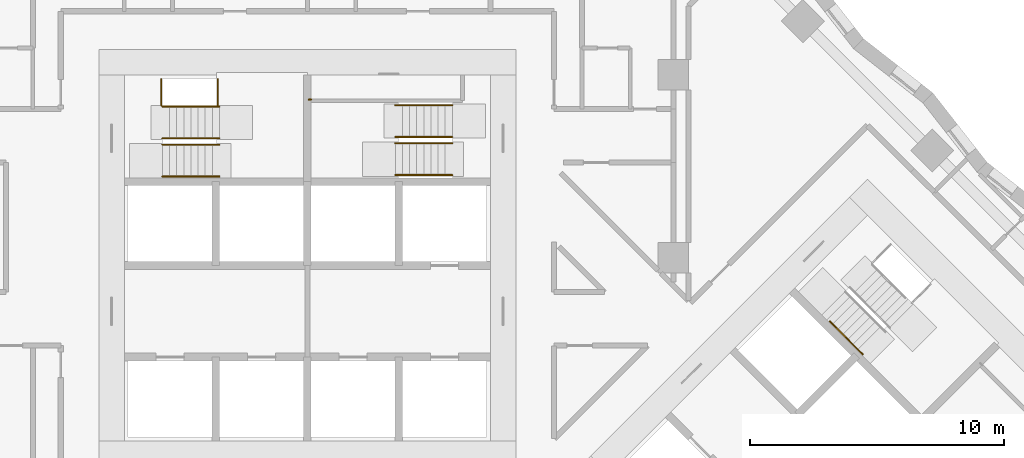
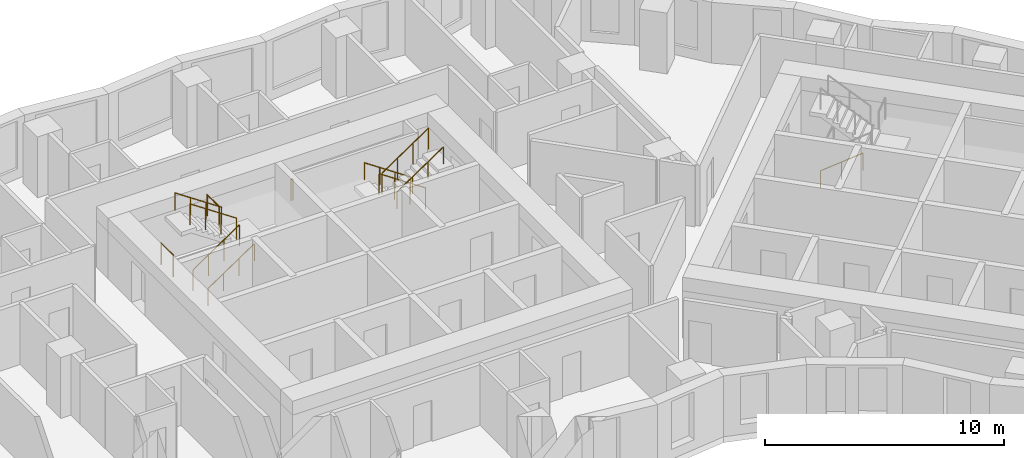
# One storey, part 12 of 13: 12 railings.
"""IFC4 building model written with IfcOpenShell, lengths in metres."""

from ifc_helpers import new_model, si_unit, direction, frame, origin, origin_2d, place, context, subcontext, project, spatial, circle, extrude, material, type_object, element, save


model = new_model("IFC4")

# Units and contexts
model_context = context("Model", 3, precision=1e-05, world=origin(), true_north=direction((0.0, 1.0)))
body_context = subcontext(model_context, "Body", "Model", "MODEL_VIEW")
ifc_project = project(units=[si_unit("LENGTHUNIT", "METRE"), si_unit("AREAUNIT", "SQUARE_METRE"), si_unit("VOLUMEUNIT", "CUBIC_METRE"), si_unit("PLANEANGLEUNIT", "RADIAN"), si_unit("MASSUNIT", "GRAM", prefix="KILO")], contexts=[model_context])

# Site, building, storey
site_placement = place(None, origin())
site = spatial("IfcSite", under=ifc_project, at=site_placement, CompositionType="ELEMENT")
building_placement = place(site_placement, origin())
building = spatial("IfcBuilding", under=site, at=building_placement, Name="Windrow Commons", CompositionType="ELEMENT")
storey_placement = place(building_placement, frame((0.0, 0.0, 40.6)))
storey = spatial("IfcBuildingStorey", under=building, at=storey_placement, Name="L10", CompositionType="ELEMENT", Elevation=40.6)

# Railings
ifc_material_1 = material(Name="Steel S355", Category="steel")
railing_type_1 = type_object("IfcRailingType", Name="Core stair guard 1100", PredefinedType="GUARDRAIL", material=ifc_material_1)
railing_1_placement = place(storey_placement, frame((59.1, 62.05, 0.1889)))
element("IfcRailing", 1, at=railing_1_placement, inside=storey, type_object=railing_type_1, Name="L10 ST-A1 stair guard 1", PredefinedType="GUARDRAIL", context=body_context, shape_type="SweptSolid", body=[
    extrude(circle(Radius=0.024, at=origin_2d()), frame((0.0, 0.0, 1.076), z_axis=(0.8290030985, 0.0, 0.5592440099), x_axis=(0.0, 1.0, 0.0)), (0.0, 0.0, 1.0), 2.702),
    extrude(circle(Radius=0.021, at=origin_2d()), origin(), (0.0, 0.0, 1.0), 1.052),
    extrude(circle(Radius=0.021, at=origin_2d()), frame((0.7467, 0.0, 0.5037)), (0.0, 0.0, 1.0), 1.052),
    extrude(circle(Radius=0.021, at=origin_2d()), frame((1.4933, 0.0, 1.0074)), (0.0, 0.0, 1.0), 1.052),
    extrude(circle(Radius=0.021, at=origin_2d()), frame((2.24, 0.0, 1.5111)), (0.0, 0.0, 1.0), 1.052),
])
railing_2_placement = place(storey_placement, frame((61.34, 62.3, 1.8889)))
element("IfcRailing", 2, at=railing_2_placement, inside=storey, type_object=railing_type_1, Name="L10 ST-A1 stair guard 2", PredefinedType="GUARDRAIL", context=body_context, shape_type="SweptSolid", body=[
    extrude(circle(Radius=0.024, at=origin_2d()), frame((0.0, 0.0, 1.076), z_axis=(-0.8290030985, 0.0, 0.5592440099), x_axis=(0.0, -1.0, 0.0)), (0.0, 0.0, 1.0), 2.702),
    extrude(circle(Radius=0.021, at=origin_2d()), origin(), (0.0, 0.0, 1.0), 1.052),
    extrude(circle(Radius=0.021, at=origin_2d()), frame((-0.7467, 0.0, 0.5037)), (0.0, 0.0, 1.0), 1.052),
    extrude(circle(Radius=0.021, at=origin_2d()), frame((-1.4933, 0.0, 1.0074)), (0.0, 0.0, 1.0), 1.052),
    extrude(circle(Radius=0.021, at=origin_2d()), frame((-2.24, 0.0, 1.5111)), (0.0, 0.0, 1.0), 1.052),
])
for number, where, name in (
    (3, (59.05, 63.6, 0.0), "L10 ST-A1 stair guard 3"),
    (4, (61.27, 63.6, 1.7), "L10 ST-A1 stair guard 4"),
):
    element("IfcRailing", number, at=place(storey_placement, frame(where)), inside=storey, type_object=railing_type_1, Name=name, PredefinedType="GUARDRAIL", context=body_context, shape_type="SweptSolid", body=[
        extrude(circle(Radius=0.024, at=origin_2d()), frame((0.0, 0.0, 1.076), z_axis=(0.0, 1.0, 0.0), x_axis=(-1.0, 0.0, 0.0)), (0.0, 0.0, 1.0), 1.03),
        extrude(circle(Radius=0.021, at=origin_2d()), origin(), (0.0, 0.0, 1.0), 1.052),
        extrude(circle(Radius=0.021, at=origin_2d()), frame((0.0, 1.03, 0.0)), (0.0, 0.0, 1.0), 1.052),
    ])
railing_3_placement = place(storey_placement, frame((70.5, 62.355, 0.1889)))
element("IfcRailing", 5, at=railing_3_placement, inside=storey, type_object=railing_type_1, Name="L10 ST-A2 stair guard 1", PredefinedType="GUARDRAIL", context=body_context, shape_type="SweptSolid", body=[
    extrude(circle(Radius=0.024, at=origin_2d()), frame((0.0, 0.0, 1.076), z_axis=(-0.8290030985, 0.0, 0.5592440099), x_axis=(0.0, -1.0, 0.0)), (0.0, 0.0, 1.0), 2.702),
    extrude(circle(Radius=0.021, at=origin_2d()), origin(), (0.0, 0.0, 1.0), 1.052),
    extrude(circle(Radius=0.021, at=origin_2d()), frame((-0.7467, 0.0, 0.5037)), (0.0, 0.0, 1.0), 1.052),
    extrude(circle(Radius=0.021, at=origin_2d()), frame((-1.4933, 0.0, 1.0074)), (0.0, 0.0, 1.0), 1.052),
    extrude(circle(Radius=0.021, at=origin_2d()), frame((-2.24, 0.0, 1.5111)), (0.0, 0.0, 1.0), 1.052),
])
railing_4_placement = place(storey_placement, frame((68.26, 62.105, 1.8889)))
element("IfcRailing", 6, at=railing_4_placement, inside=storey, type_object=railing_type_1, Name="L10 ST-A2 stair guard 2", PredefinedType="GUARDRAIL", context=body_context, shape_type="SweptSolid", body=[
    extrude(circle(Radius=0.024, at=origin_2d()), frame((0.0, 0.0, 1.076), z_axis=(0.8290030985, 0.0, 0.5592440099), x_axis=(0.0, 1.0, 0.0)), (0.0, 0.0, 1.0), 2.702),
    extrude(circle(Radius=0.021, at=origin_2d()), origin(), (0.0, 0.0, 1.0), 1.052),
    extrude(circle(Radius=0.021, at=origin_2d()), frame((0.7467, 0.0, 0.5037)), (0.0, 0.0, 1.0), 1.052),
    extrude(circle(Radius=0.021, at=origin_2d()), frame((1.4933, 0.0, 1.0074)), (0.0, 0.0, 1.0), 1.052),
    extrude(circle(Radius=0.021, at=origin_2d()), frame((2.24, 0.0, 1.5111)), (0.0, 0.0, 1.0), 1.052),
])
railing_5_placement = place(storey_placement, frame((64.95, 63.825, 1.7)))
element("IfcRailing", 7, at=railing_5_placement, inside=storey, type_object=railing_type_1, Name="L10 ST-A2 stair guard 3", PredefinedType="GUARDRAIL", context=body_context, shape_type="SweptSolid", body=[
    extrude(circle(Radius=0.024, at=origin_2d()), frame((0.0, 0.0, 1.076), z_axis=(-1.0, 0.0, 0.0), x_axis=(0.0, -1.0, 0.0)), (0.0, 0.0, 1.0), 0.1),
    extrude(circle(Radius=0.021, at=origin_2d()), origin(), (0.0, 0.0, 1.0), 1.052),
    extrude(circle(Radius=0.021, at=origin_2d()), frame((-0.1, 0.0, 0.0)), (0.0, 0.0, 1.0), 1.052),
])
ifc_material_2 = material(Name="Steel S355", Category="steel")
railing_type_2 = type_object("IfcRailingType", Name="Core stair handrail 900", PredefinedType="HANDRAIL", material=ifc_material_2)
railing_6_placement = place(storey_placement, frame((59.1, 60.8, 0.1889)))
element("IfcRailing", 8, at=railing_6_placement, inside=storey, type_object=railing_type_2, Name="L10 ST-A1 stair handrail 1", PredefinedType="HANDRAIL", context=body_context, shape_type="SweptSolid", body=[
    extrude(circle(Radius=0.024, at=origin_2d()), frame((0.0, 0.0, 0.876), z_axis=(0.8290030985, 0.0, 0.5592440099), x_axis=(0.0, 1.0, 0.0)), (0.0, 0.0, 1.0), 2.702),
    extrude(circle(Radius=0.021, at=origin_2d()), origin(), (0.0, 0.0, 1.0), 0.852),
    extrude(circle(Radius=0.021, at=origin_2d()), frame((0.7467, 0.0, 0.5037)), (0.0, 0.0, 1.0), 0.852),
    extrude(circle(Radius=0.021, at=origin_2d()), frame((1.4933, 0.0, 1.0074)), (0.0, 0.0, 1.0), 0.852),
    extrude(circle(Radius=0.021, at=origin_2d()), frame((2.24, 0.0, 1.5111)), (0.0, 0.0, 1.0), 0.852),
])
for number, where, name in (
    (9, (61.34, 63.55, 1.8889), "L10 ST-A1 stair handrail 2"),
    (10, (70.5, 63.605, 0.1889), "L10 ST-A2 stair handrail 1"),
):
    element("IfcRailing", number, at=place(storey_placement, frame(where)), inside=storey, type_object=railing_type_2, Name=name, PredefinedType="HANDRAIL", context=body_context, shape_type="SweptSolid", body=[
        extrude(circle(Radius=0.024, at=origin_2d()), frame((0.0, 0.0, 0.876), z_axis=(-0.8290030985, 0.0, 0.5592440099), x_axis=(0.0, -1.0, 0.0)), (0.0, 0.0, 1.0), 2.702),
        extrude(circle(Radius=0.021, at=origin_2d()), origin(), (0.0, 0.0, 1.0), 0.852),
        extrude(circle(Radius=0.021, at=origin_2d()), frame((-0.7467, 0.0, 0.5037)), (0.0, 0.0, 1.0), 0.852),
        extrude(circle(Radius=0.021, at=origin_2d()), frame((-1.4933, 0.0, 1.0074)), (0.0, 0.0, 1.0), 0.852),
        extrude(circle(Radius=0.021, at=origin_2d()), frame((-2.24, 0.0, 1.5111)), (0.0, 0.0, 1.0), 0.852),
    ])
railing_7_placement = place(storey_placement, frame((68.26, 60.855, 1.8889)))
element("IfcRailing", 11, at=railing_7_placement, inside=storey, type_object=railing_type_2, Name="L10 ST-A2 stair handrail 2", PredefinedType="HANDRAIL", context=body_context, shape_type="SweptSolid", body=[
    extrude(circle(Radius=0.024, at=origin_2d()), frame((0.0, 0.0, 0.876), z_axis=(0.8290030985, 0.0, 0.5592440099), x_axis=(0.0, 1.0, 0.0)), (0.0, 0.0, 1.0), 2.702),
    extrude(circle(Radius=0.021, at=origin_2d()), origin(), (0.0, 0.0, 1.0), 0.852),
    extrude(circle(Radius=0.021, at=origin_2d()), frame((0.7467, 0.0, 0.5037)), (0.0, 0.0, 1.0), 0.852),
    extrude(circle(Radius=0.021, at=origin_2d()), frame((1.4933, 0.0, 1.0074)), (0.0, 0.0, 1.0), 0.852),
    extrude(circle(Radius=0.021, at=origin_2d()), frame((2.24, 0.0, 1.5111)), (0.0, 0.0, 1.0), 0.852),
])
railing_8_placement = place(storey_placement, frame((85.3518, 55.1001, 0.4587)))
element("IfcRailing", 12, at=railing_8_placement, inside=storey, type_object=railing_type_2, Name="L10 ST-B1 stair handrail 1", PredefinedType="HANDRAIL", context=body_context, shape_type="SweptSolid", body=[
    extrude(circle(Radius=0.024, at=origin_2d()), frame((0.0, 0.0, 0.876), z_axis=(0.586206706, -0.5861616513, 0.5592639952), x_axis=(0.7070796062, 0.7071339551, 0.0)), (0.0, 0.0, 1.0), 2.2195),
    extrude(circle(Radius=0.021, at=origin_2d()), origin(), (0.0, 0.0, 1.0), 0.852),
    extrude(circle(Radius=0.021, at=origin_2d()), frame((0.6506, -0.6505, 0.6206)), (0.0, 0.0, 1.0), 0.852),
    extrude(circle(Radius=0.021, at=origin_2d()), frame((1.3011, -1.301, 1.2413)), (0.0, 0.0, 1.0), 0.852),
])

save(model, "model.ifc")
